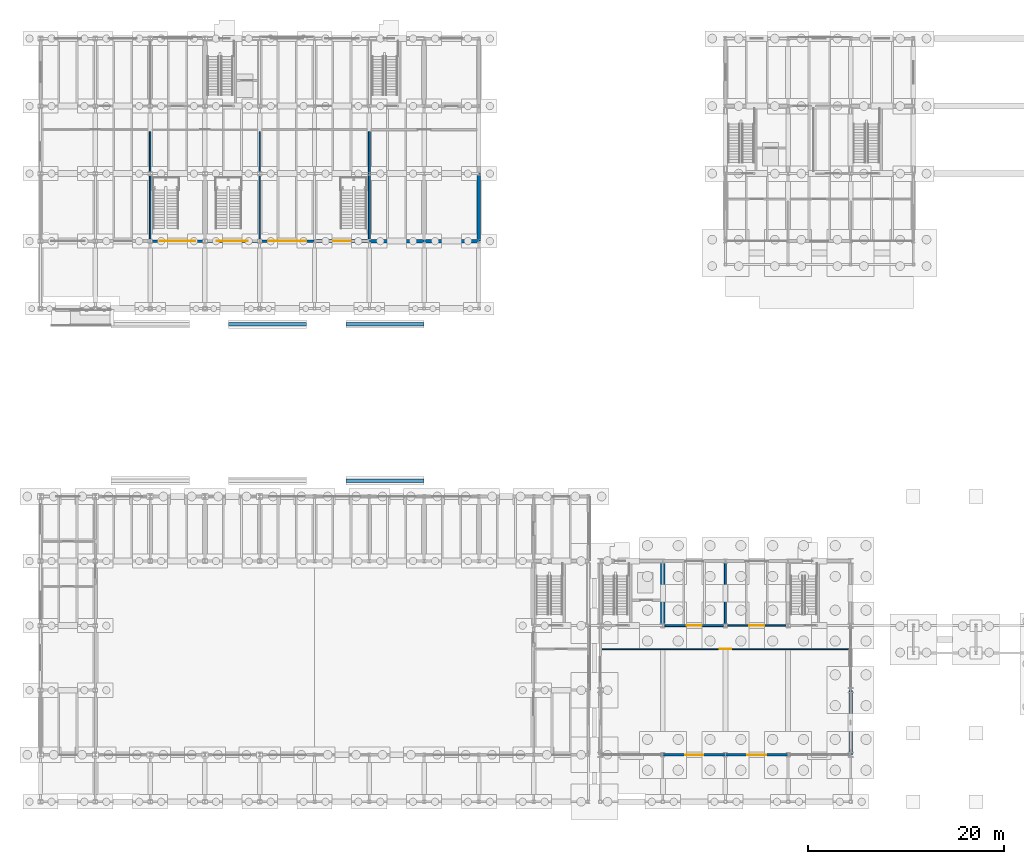
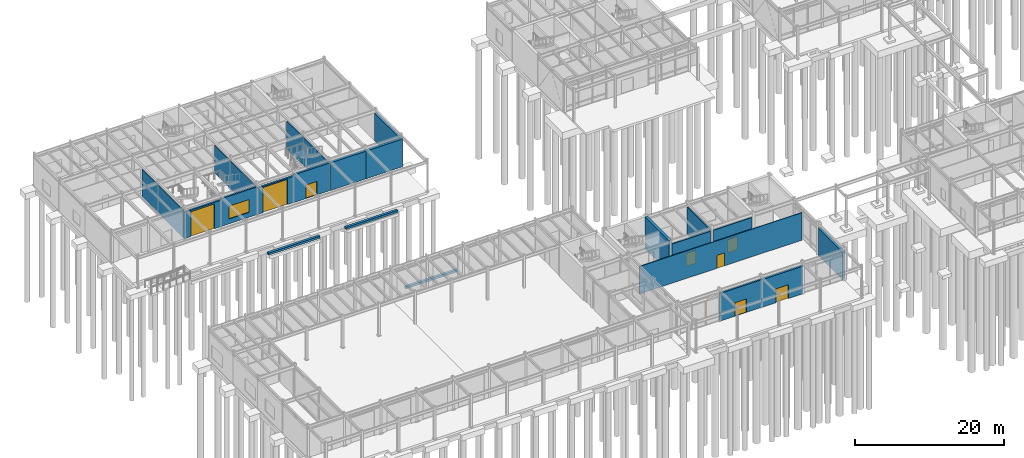
# One storey, part 68 of 82: 21 walls, 8 doors, 1 window, 9 openings.
"""IFC4 building model written with IfcOpenShell, lengths in metres."""

from ifc_helpers import new_model, si_unit, direction, frame, frame_2d, origin, place, context, subcontext, project, spatial, rectangle, extrude, material, layer, layer_set, type_object, element, fill, save


model = new_model("IFC4")

# Units and contexts
model_context = context("Model", 3, precision=1e-05, world=origin(), true_north=direction((0.0, 1.0)))
body_context = subcontext(model_context, "Body", "Model", "MODEL_VIEW")
ifc_project = project(units=[si_unit("LENGTHUNIT", "METRE"), si_unit("AREAUNIT", "SQUARE_METRE"), si_unit("VOLUMEUNIT", "CUBIC_METRE"), si_unit("PLANEANGLEUNIT", "RADIAN"), si_unit("MASSUNIT", "GRAM", prefix="KILO")], contexts=[model_context])

# Site, building, storey
site_placement = place(None, origin())
site = spatial("IfcSite", under=ifc_project, at=site_placement, CompositionType="ELEMENT")
building_placement = place(site_placement, origin())
building = spatial("IfcBuilding", under=site, at=building_placement, Name="Trelmorton Wharf Fire Station", CompositionType="ELEMENT")
storey_placement = place(building_placement, origin())
storey = spatial("IfcBuildingStorey", under=building, at=storey_placement, Name="L00", CompositionType="ELEMENT", Elevation=0.0)

# Wall, opening, door
ifc_material_1 = material(Name="Precast concrete 45 MPa", Category="concrete")
ifc_layer_1 = layer(ifc_material_1, 0.25)
ifc_layer_set_1 = layer_set([ifc_layer_1], Name="Precast concrete 45 MPa")
wall_type_1 = type_object("IfcWallType", Name="EW_PREC_250", PredefinedType="SOLIDWALL", material=ifc_layer_set_1)
wall_1_placement = place(storey_placement, frame((70.794921875, 7.800048828125, 0.0), z_axis=(0.0, 0.0, 1.0), x_axis=(-1.0, 0.0, 0.0)))
wall_1 = element("IfcWall", 1, at=wall_1_placement, inside=storey, type_object=wall_type_1, Name="EW-V3-L00-0037", PredefinedType="SOLIDWALL", context=body_context, shape_type="SweptSolid", body=[
    extrude(rectangle(XDim=6.389892578125, YDim=0.25, at=frame_2d((3.19482421875, 0.0))), origin(), (0.0, 0.0, 1.0), 4.52001953125),
])
opening_1_placement = place(wall_1_placement, frame((2.284912109375, 0.0, 0.0)))
opening_1 = element("IfcOpeningElement", 2, at=opening_1_placement, cuts=wall_1, Name="Opening E-006", PredefinedType="OPENING", context=body_context, shape_type="SweptSolid", body=[
    extrude(rectangle(XDim=1.820068359375, YDim=2.199951171875, at=frame_2d((0.91015625, 1.10009765625))), frame((0.0, 0.135009765625, 0.0), z_axis=(0.0, -1.0, 0.0), x_axis=(1.0, 0.0, 0.0)), (0.0, 0.0, 1.0), 0.27001953125),
])
ifc_material_2 = material(Name="Anodised aluminium AW-6063", Category="aluminium")
door_type_1 = type_object("IfcDoorType", Name="DR_EXT_DBL_182", OperationType="DOUBLE_DOOR_SINGLE_SWING", PredefinedType="DOOR", material=ifc_material_2)
door_1_placement = place(opening_1_placement, origin())
door_1 = element("IfcDoor", 3, at=door_1_placement, inside=storey, type_object=door_type_1, Name="Final Exit Door E-006", OperationType="DOUBLE_DOOR_SINGLE_SWING", OverallHeight=2.199951171875, OverallWidth=1.820068359375, PredefinedType="DOOR", context=body_context, shape_type="SweptSolid", body=[
    extrude(rectangle(XDim=1.820068359375, YDim=2.199951171875, at=frame_2d((0.91015625, 1.10009765625))), frame((0.0, 0.02490234375, 0.0), z_axis=(0.0, -1.0, 0.0), x_axis=(1.0, 0.0, 0.0)), (0.0, 0.0, 1.0), 0.050048828125),
])
fill(opening_1, door_1)

# Wall, opening, window
wall_2_placement = place(storey_placement, frame((23.195068359375, 60.300048828125, 0.0), z_axis=(0.0, 0.0, 1.0), x_axis=(-1.0, 0.0, 0.0)))
wall_2 = element("IfcWall", 4, at=wall_2_placement, inside=storey, type_object=wall_type_1, Name="EW-V6-L00-0127", PredefinedType="SOLIDWALL", context=body_context, shape_type="SweptSolid", body=[
    extrude(rectangle(XDim=5.590087890625, YDim=0.25, at=frame_2d((2.794921875, 0.0))), origin(), (0.0, 0.0, 1.0), 4.52001953125),
])
opening_2_placement = place(wall_2_placement, frame((1.219970703125, 0.0, 0.800048828125)))
opening_2 = element("IfcOpeningElement", 5, at=opening_2_placement, cuts=wall_2, Name="Opening W06", PredefinedType="OPENING", context=body_context, shape_type="SweptSolid", body=[
    extrude(rectangle(XDim=3.14990234375, YDim=2.10009765625, at=frame_2d((1.574951171875, 1.050048828125))), frame((0.0, 0.135009765625, 0.0), z_axis=(0.0, -1.0, 0.0), x_axis=(1.0, 0.0, 0.0)), (0.0, 0.0, 1.0), 0.27001953125),
])
ifc_material_3 = material(Name="Tempered low-E double glazing", Category="glass")
window_type = type_object("IfcWindowType", Name="WIN_W06", PartitioningType="TRIPLE_PANEL_VERTICAL", PredefinedType="WINDOW", material=ifc_material_3)
window_placement = place(opening_2_placement, origin())
window = element("IfcWindow", 6, at=window_placement, inside=storey, type_object=window_type, Name="WN-V6-L00-0068", OverallHeight=2.10009765625, OverallWidth=3.14990234375, PartitioningType="TRIPLE_PANEL_VERTICAL", PredefinedType="WINDOW", context=body_context, shape_type="SweptSolid", body=[
    extrude(rectangle(XDim=3.14990234375, YDim=2.10009765625, at=frame_2d((1.574951171875, 1.050048828125))), frame((0.0, 0.030029296875, 0.0), z_axis=(0.0, -1.0, 0.0), x_axis=(1.0, 0.0, 0.0)), (0.0, 0.0, 1.0), 0.06005859375),
])
fill(opening_2, window)

# Wall, opening, door
ifc_layer_2 = layer(ifc_material_1, 0.27001953125)
ifc_layer_set_2 = layer_set([ifc_layer_2], Name="Precast concrete 45 MPa")
wall_type_2 = type_object("IfcWallType", Name="EW_PREC_270", PredefinedType="SOLIDWALL", material=ifc_layer_set_2)
wall_3_placement = place(storey_placement, frame((17.594970703125, 60.300048828125, 0.0), z_axis=(0.0, 0.0, 1.0), x_axis=(-1.0, 0.0, 0.0)))
wall_3 = element("IfcWall", 7, at=wall_3_placement, inside=storey, type_object=wall_type_2, Name="EW-V6-L00-0125", PredefinedType="SOLIDWALL", context=body_context, shape_type="SweptSolid", body=[
    extrude(rectangle(XDim=5.590087890625, YDim=0.27001953125, at=frame_2d((2.794921875, 0.0))), origin(), (0.0, 0.0, 1.0), 4.300048828125),
])
opening_3_placement = place(wall_3_placement, frame((0.9951171875, 0.0, 0.0)))
opening_3 = element("IfcOpeningElement", 8, at=opening_3_placement, cuts=wall_3, Name="Opening WG-18", PredefinedType="OPENING", context=body_context, shape_type="SweptSolid", body=[
    extrude(rectangle(XDim=3.60009765625, YDim=4.050048828125, at=frame_2d((1.800048828125, 2.02490234375))), frame((0.0, 0.14501953125, 0.0), z_axis=(0.0, -1.0, 0.0), x_axis=(1.0, 0.0, 0.0)), (0.0, 0.0, 1.0), 0.2900390625),
])
ifc_material_4 = material(Name="Stainless steel 316 marine grade", Category="steel")
door_type_2 = type_object("IfcDoorType", Name="GT_ROLLER_360", OperationType="ROLLINGUP", PredefinedType="GATE", material=ifc_material_4)
door_2_placement = place(opening_3_placement, origin())
door_2 = element("IfcDoor", 9, at=door_2_placement, inside=storey, type_object=door_type_2, Name="Vehicle Gate WG-18", OperationType="ROLLINGUP", OverallHeight=4.050048828125, OverallWidth=3.60009765625, PredefinedType="GATE", context=body_context, shape_type="SweptSolid", body=[
    extrude(rectangle(XDim=3.60009765625, YDim=4.050048828125, at=frame_2d((1.800048828125, 2.02490234375))), frame((0.0, 0.02490234375, 0.0), z_axis=(0.0, -1.0, 0.0), x_axis=(1.0, 0.0, 0.0)), (0.0, 0.0, 1.0), 0.050048828125),
])
fill(opening_3, door_2)

wall_4_placement = place(storey_placement, frame((28.794921875, 60.300048828125, 0.0), z_axis=(0.0, 0.0, 1.0), x_axis=(-1.0, 0.0, 0.0)))
wall_4 = element("IfcWall", 10, at=wall_4_placement, inside=storey, type_object=wall_type_2, Name="EW-V6-L00-0128", PredefinedType="SOLIDWALL", context=body_context, shape_type="SweptSolid", body=[
    extrude(rectangle(XDim=5.58984375, YDim=0.27001953125, at=frame_2d((2.794921875, 0.0))), origin(), (0.0, 0.0, 1.0), 4.300048828125),
])
opening_4_placement = place(wall_4_placement, frame((0.89501953125, 0.0, 0.0)))
opening_4 = element("IfcOpeningElement", 11, at=opening_4_placement, cuts=wall_4, Name="Opening WG-19", PredefinedType="OPENING", context=body_context, shape_type="SweptSolid", body=[
    extrude(rectangle(XDim=3.800048828125, YDim=4.10009765625, at=frame_2d((1.89990234375, 2.050048828125))), frame((0.0, 0.14501953125, 0.0), z_axis=(0.0, -1.0, 0.0), x_axis=(1.0, 0.0, 0.0)), (0.0, 0.0, 1.0), 0.2900390625),
])
door_type_3 = type_object("IfcDoorType", Name="GT_ROLLER_380", OperationType="ROLLINGUP", PredefinedType="GATE", material=ifc_material_4)
door_3_placement = place(opening_4_placement, origin())
door_3 = element("IfcDoor", 12, at=door_3_placement, inside=storey, type_object=door_type_3, Name="Vehicle Gate WG-19", OperationType="ROLLINGUP", OverallHeight=4.10009765625, OverallWidth=3.800048828125, PredefinedType="GATE", context=body_context, shape_type="SweptSolid", body=[
    extrude(rectangle(XDim=3.800048828125, YDim=4.10009765625, at=frame_2d((1.89990234375, 2.050048828125))), frame((0.0, 0.02490234375, 0.0), z_axis=(0.0, -1.0, 0.0), x_axis=(1.0, 0.0, 0.0)), (0.0, 0.0, 1.0), 0.050048828125),
])
fill(opening_4, door_3)

# Walls
ifc_material_5 = material(Name="Clay brickwork masonry", Category="masonry")
ifc_layer_3 = layer(ifc_material_5, 0.3798828125)
ifc_layer_set_3 = layer_set([ifc_layer_3], Name="Clay brickwork masonry")
wall_type_3 = type_object("IfcWallType", Name="EW_SMOK_380", PredefinedType="SOLIDWALL", material=ifc_layer_set_3)
for number, where, z_axis, x_axis, name in (
    (13, (39.9951171875, 60.300048828125, 0.0), (0.0, 0.0, 1.0), (-1.0, 0.0, 0.0), "EW-V6-L00-0132"),
    (14, (45.594970703125, 60.300048828125, 0.0), (0.0, 0.0, 1.0), (-1.0, 0.0, 0.0), "EW-V6-L00-0133"),
):
    element("IfcWall", number, at=place(storey_placement, frame(where, z_axis=z_axis, x_axis=x_axis)), inside=storey, type_object=wall_type_3, Name=name, PredefinedType="SOLIDWALL", context=body_context, shape_type="SweptSolid", body=[
        extrude(rectangle(XDim=5.590087890625, YDim=0.3798828125, at=frame_2d((2.794921875, 0.0))), origin(), (0.0, 0.0, 1.0), 4.52001953125),
    ])
wall_5_placement = place(storey_placement, frame((45.60009765625, 67.195068359375, 0.0), z_axis=(0.0, 0.0, 1.0), x_axis=(0.0, -1.0, 0.0)))
element("IfcWall", 15, at=wall_5_placement, inside=storey, type_object=wall_type_3, Name="EW-V6-L00-0136", PredefinedType="SOLIDWALL", context=body_context, shape_type="SweptSolid", body=[
    extrude(rectangle(XDim=6.89013671875, YDim=0.3798828125, at=frame_2d((3.445068359375, 0.0))), origin(), (0.0, 0.0, 1.0), 4.52001953125),
])

# Wall, opening, door
ifc_layer_4 = layer(ifc_material_1, 0.2900390625)
ifc_layer_set_4 = layer_set([ifc_layer_4], Name="Precast concrete 45 MPa")
wall_type_4 = type_object("IfcWallType", Name="EW_TERR_290", PredefinedType="SOLIDWALL", material=ifc_layer_set_4)
wall_6_placement = place(storey_placement, frame((77.195068359375, 7.800048828125, 0.0), z_axis=(0.0, 0.0, 1.0), x_axis=(-1.0, 0.0, 0.0)))
wall_6 = element("IfcWall", 16, at=wall_6_placement, inside=storey, type_object=wall_type_4, Name="EW-V3-L00-0039", PredefinedType="SOLIDWALL", context=body_context, shape_type="SweptSolid", body=[
    extrude(rectangle(XDim=6.39013671875, YDim=0.2900390625, at=frame_2d((3.195068359375, 0.0))), origin(), (0.0, 0.0, 1.0), 4.52001953125),
])
opening_5_placement = place(wall_6_placement, frame((2.235107421875, 0.0, 0.0)))
opening_5 = element("IfcOpeningElement", 17, at=opening_5_placement, cuts=wall_6, Name="Opening E-008", PredefinedType="OPENING", context=body_context, shape_type="SweptSolid", body=[
    extrude(rectangle(XDim=1.919921875, YDim=2.25, at=frame_2d((0.9599609375, 1.125))), frame((0.0, 0.155029296875, 0.0), z_axis=(0.0, -1.0, 0.0), x_axis=(1.0, 0.0, 0.0)), (0.0, 0.0, 1.0), 0.31005859375),
])
door_type_4 = type_object("IfcDoorType", Name="DR_EXT_DBL_192", OperationType="DOUBLE_DOOR_SINGLE_SWING", PredefinedType="DOOR", material=ifc_material_2)
door_4_placement = place(opening_5_placement, origin())
door_4 = element("IfcDoor", 18, at=door_4_placement, inside=storey, type_object=door_type_4, Name="Final Exit Door E-008", OperationType="DOUBLE_DOOR_SINGLE_SWING", OverallHeight=2.25, OverallWidth=1.919921875, PredefinedType="DOOR", context=body_context, shape_type="SweptSolid", body=[
    extrude(rectangle(XDim=1.919921875, YDim=2.25, at=frame_2d((0.9599609375, 1.125))), frame((0.0, 0.02490234375, 0.0), z_axis=(0.0, -1.0, 0.0), x_axis=(1.0, 0.0, 0.0)), (0.0, 0.0, 1.0), 0.050048828125),
])
fill(opening_5, door_4)

ifc_layer_5 = layer(ifc_material_1, 0.31005859375)
ifc_layer_set_5 = layer_set([ifc_layer_5], Name="Precast concrete 45 MPa")
wall_type_5 = type_object("IfcWallType", Name="EW_TERR_310", PredefinedType="SOLIDWALL", material=ifc_layer_set_5)
wall_7_placement = place(storey_placement, frame((34.39501953125, 60.300048828125, 0.0), z_axis=(0.0, 0.0, 1.0), x_axis=(-1.0, 0.0, 0.0)))
wall_7 = element("IfcWall", 19, at=wall_7_placement, inside=storey, type_object=wall_type_5, Name="EW-V6-L00-0130", PredefinedType="SOLIDWALL", context=body_context, shape_type="SweptSolid", body=[
    extrude(rectangle(XDim=5.590087890625, YDim=0.31005859375, at=frame_2d((2.794921875, 0.0))), origin(), (0.0, 0.0, 1.0), 4.52001953125),
])
opening_6_placement = place(wall_7_placement, frame((1.93505859375, 0.0, 0.0)))
opening_6 = element("IfcOpeningElement", 20, at=opening_6_placement, cuts=wall_7, Name="Opening E-022", PredefinedType="OPENING", context=body_context, shape_type="SweptSolid", body=[
    extrude(rectangle(XDim=1.719970703125, YDim=2.199951171875, at=frame_2d((0.85986328125, 1.10009765625))), frame((0.0, 0.1650390625, 0.0), z_axis=(0.0, -1.0, 0.0), x_axis=(1.0, 0.0, 0.0)), (0.0, 0.0, 1.0), 0.330078125),
])
door_type_5 = type_object("IfcDoorType", Name="DR_EXT_DBL_172", OperationType="DOUBLE_DOOR_SINGLE_SWING", PredefinedType="DOOR", material=ifc_material_2)
door_5_placement = place(opening_6_placement, origin())
door_5 = element("IfcDoor", 21, at=door_5_placement, inside=storey, type_object=door_type_5, Name="Final Exit Door E-022", OperationType="DOUBLE_DOOR_SINGLE_SWING", OverallHeight=2.199951171875, OverallWidth=1.719970703125, PredefinedType="DOOR", context=body_context, shape_type="SweptSolid", body=[
    extrude(rectangle(XDim=1.719970703125, YDim=2.199951171875, at=frame_2d((0.85986328125, 1.10009765625))), frame((0.0, 0.02490234375, 0.0), z_axis=(0.0, -1.0, 0.0), x_axis=(1.0, 0.0, 0.0)), (0.0, 0.0, 1.0), 0.050048828125),
])
fill(opening_6, door_5)

# Wall
ifc_layer_6 = layer(ifc_material_1, 0.330078125)
ifc_layer_set_6 = layer_set([ifc_layer_6], Name="Precast concrete 45 MPa")
wall_type_6 = type_object("IfcWallType", Name="EW_TERR_330", PredefinedType="SOLIDWALL", material=ifc_layer_set_6)
wall_8_placement = place(storey_placement, frame((83.60009765625, 14.39501953125, 0.0), z_axis=(0.0, 0.0, 1.0), x_axis=(0.0, -1.0, 0.0)))
element("IfcWall", 22, at=wall_8_placement, inside=storey, type_object=wall_type_6, Name="EW-V3-L00-0042", PredefinedType="SOLIDWALL", context=body_context, shape_type="SweptSolid", body=[
    extrude(rectangle(XDim=6.590087890625, YDim=0.330078125, at=frame_2d((3.294921875, 0.0))), origin(), (0.0, 0.0, 1.0), 4.52001953125),
])

# Wall, opening, door
ifc_layer_7 = layer(ifc_material_1, 0.169921875)
ifc_layer_set_7 = layer_set([ifc_layer_7], Name="Precast concrete 45 MPa")
wall_type_7 = type_object("IfcWallType", Name="IW_FIRE_170", PredefinedType="PARTITIONING", material=ifc_layer_set_7)
wall_9_placement = place(storey_placement, frame((71.02001953125, 21.0, 0.0), z_axis=(0.0, 0.0, 1.0), x_axis=(1.0, 0.0, 0.0)))
wall_9 = element("IfcWall", 23, at=wall_9_placement, inside=storey, type_object=wall_type_7, Name="IW-L00-0014", PredefinedType="PARTITIONING", context=body_context, shape_type="SweptSolid", body=[
    extrude(rectangle(XDim=5.9599609375, YDim=0.169921875, at=frame_2d((2.97998046875, 0.0))), origin(), (0.0, 0.0, 1.0), 4.5),
])
opening_7_placement = place(wall_9_placement, frame((2.219970703125, 0.0, 0.0)))
opening_7 = element("IfcOpeningElement", 24, at=opening_7_placement, cuts=wall_9, Name="Opening D-011", PredefinedType="OPENING", context=body_context, shape_type="SweptSolid", body=[
    extrude(rectangle(XDim=1.52001953125, YDim=2.14990234375, at=frame_2d((0.760009765625, 1.074951171875))), frame((0.0, 0.094970703125, 0.0), z_axis=(0.0, -1.0, 0.0), x_axis=(1.0, 0.0, 0.0)), (0.0, 0.0, 1.0), 0.18994140625),
])
door_type_6 = type_object("IfcDoorType", Name="DR_FIRE_152", OperationType="DOUBLE_DOOR_SINGLE_SWING", PredefinedType="DOOR", material=ifc_material_4)
door_6_placement = place(opening_7_placement, origin())
door_6 = element("IfcDoor", 25, at=door_6_placement, inside=storey, type_object=door_type_6, Name="Interior Door D-011", OperationType="DOUBLE_DOOR_SINGLE_SWING", OverallHeight=2.14990234375, OverallWidth=1.52001953125, PredefinedType="DOOR", context=body_context, shape_type="SweptSolid", body=[
    extrude(rectangle(XDim=1.52001953125, YDim=2.14990234375, at=frame_2d((0.760009765625, 1.074951171875))), frame((0.0, 0.02490234375, 0.0), z_axis=(0.0, -1.0, 0.0), x_axis=(1.0, 0.0, 0.0)), (0.0, 0.0, 1.0), 0.050048828125),
])
fill(opening_7, door_6)

ifc_layer_8 = layer(ifc_material_1, 0.199951171875)
ifc_layer_set_8 = layer_set([ifc_layer_8], Name="Precast concrete 45 MPa")
wall_type_8 = type_object("IfcWallType", Name="IW_FIRE_200", PredefinedType="PARTITIONING", material=ifc_layer_set_8)
wall_10_placement = place(storey_placement, frame((64.6201171875, 21.0, 0.0), z_axis=(0.0, 0.0, 1.0), x_axis=(1.0, 0.0, 0.0)))
wall_10 = element("IfcWall", 26, at=wall_10_placement, inside=storey, type_object=wall_type_8, Name="IW-L00-0013", PredefinedType="PARTITIONING", context=body_context, shape_type="SweptSolid", body=[
    extrude(rectangle(XDim=5.9599609375, YDim=0.199951171875, at=frame_2d((2.97998046875, 0.0))), origin(), (0.0, 0.0, 1.0), 4.5),
])
opening_8_placement = place(wall_10_placement, frame((2.219970703125, 0.0, 0.0)))
opening_8 = element("IfcOpeningElement", 27, at=opening_8_placement, cuts=wall_10, Name="Opening D-010", PredefinedType="OPENING", context=body_context, shape_type="SweptSolid", body=[
    extrude(rectangle(XDim=1.52001953125, YDim=2.14990234375, at=frame_2d((0.760009765625, 1.074951171875))), frame((0.0, 0.10986328125, 0.0), z_axis=(0.0, -1.0, 0.0), x_axis=(1.0, 0.0, 0.0)), (0.0, 0.0, 1.0), 0.219970703125),
])
door_7_placement = place(opening_8_placement, origin())
door_7 = element("IfcDoor", 28, at=door_7_placement, inside=storey, type_object=door_type_6, Name="Interior Door D-010", OperationType="DOUBLE_DOOR_SINGLE_SWING", OverallHeight=2.14990234375, OverallWidth=1.52001953125, PredefinedType="DOOR", context=body_context, shape_type="SweptSolid", body=[
    extrude(rectangle(XDim=1.52001953125, YDim=2.14990234375, at=frame_2d((0.760009765625, 1.074951171875))), frame((0.0, 0.02490234375, 0.0), z_axis=(0.0, -1.0, 0.0), x_axis=(1.0, 0.0, 0.0)), (0.0, 0.0, 1.0), 0.050048828125),
])
fill(opening_8, door_7)

# Walls
wall_11_placement = place(storey_placement, frame((70.800048828125, 21.219970703125, 0.0), z_axis=(0.0, 0.0, 1.0), x_axis=(0.0, 1.0, 0.0)))
element("IfcWall", 29, at=wall_11_placement, inside=storey, type_object=wall_type_8, Name="IW-L00-0015", PredefinedType="PARTITIONING", context=body_context, shape_type="SweptSolid", body=[
    extrude(rectangle(XDim=6.159912109375, YDim=0.199951171875, at=frame_2d((3.080078125, 0.0))), origin(), (0.0, 0.0, 1.0), 4.5),
])
wall_12_placement = place(storey_placement, frame((34.39990234375, 60.52001953125, 0.0), z_axis=(0.0, 0.0, 1.0), x_axis=(0.0, 1.0, 0.0)))
element("IfcWall", 30, at=wall_12_placement, inside=storey, type_object=wall_type_8, Name="IW-L00-0035", PredefinedType="PARTITIONING", context=body_context, shape_type="SweptSolid", body=[
    extrude(rectangle(XDim=10.9599609375, YDim=0.199951171875, at=frame_2d((5.47998046875, 0.0))), origin(), (0.0, 0.0, 1.0), 4.5),
])
ifc_material_6 = material(Name="Gypsum plasterboard partition")
ifc_layer_9 = layer(ifc_material_6, 0.139892578125)
ifc_layer_set_9 = layer_set([ifc_layer_9], Name="Gypsum plasterboard partition")
wall_type_9 = type_object("IfcWallType", Name="IW_PART_140", PredefinedType="PARTITIONING", material=ifc_layer_set_9)
wall_13_placement = place(storey_placement, frame((12.0, 60.52001953125, 0.0), z_axis=(0.0, 0.0, 1.0), x_axis=(0.0, 1.0, 0.0)))
element("IfcWall", 31, at=wall_13_placement, inside=storey, type_object=wall_type_9, Name="IW-L00-0031", PredefinedType="PARTITIONING", context=body_context, shape_type="SweptSolid", body=[
    extrude(rectangle(XDim=10.9599609375, YDim=0.139892578125, at=frame_2d((5.47998046875, 0.0))), origin(), (0.0, 0.0, 1.0), 4.5),
])

# Wall, opening, door
ifc_layer_10 = layer(ifc_material_6, 0.1201171875)
ifc_layer_set_10 = layer_set([ifc_layer_10], Name="Gypsum plasterboard partition")
wall_type_10 = type_object("IfcWallType", Name="IW_WET_120", PredefinedType="PARTITIONING", material=ifc_layer_set_10)
wall_14_placement = place(storey_placement, frame((58.219970703125, 18.60009765625, 0.0), z_axis=(0.0, 0.0, 1.0), x_axis=(1.0, 0.0, 0.0)))
wall_14 = element("IfcWall", 32, at=wall_14_placement, inside=storey, type_object=wall_type_10, Name="IW-L00-0012", PredefinedType="PARTITIONING", context=body_context, shape_type="SweptSolid", body=[
    extrude(rectangle(XDim=25.159912109375, YDim=0.1201171875, at=frame_2d((12.580078125, 0.0))), origin(), (0.0, 0.0, 1.0), 4.5),
])
opening_9_placement = place(wall_14_placement, frame((12.0048828125, 0.0, 0.0)))
opening_9 = element("IfcOpeningElement", 33, at=opening_9_placement, cuts=wall_14, Name="Opening D-009", PredefinedType="OPENING", context=body_context, shape_type="SweptSolid", body=[
    extrude(rectangle(XDim=1.14990234375, YDim=2.1201171875, at=frame_2d((0.574951171875, 1.06005859375))), frame((0.0, 0.070068359375, 0.0), z_axis=(0.0, -1.0, 0.0), x_axis=(1.0, 0.0, 0.0)), (0.0, 0.0, 1.0), 0.14013671875),
])
ifc_material_7 = material(Name="Acoustic timber panelling", Category="wood")
door_type_7 = type_object("IfcDoorType", Name="DR_INT_115", OperationType="NOTDEFINED", PredefinedType="DOOR", material=ifc_material_7)
door_8_placement = place(opening_9_placement, origin())
door_8 = element("IfcDoor", 34, at=door_8_placement, inside=storey, type_object=door_type_7, Name="Interior Door D-009", OperationType="SINGLE_SWING_LEFT", OverallHeight=2.1201171875, OverallWidth=1.14990234375, PredefinedType="DOOR", context=body_context, shape_type="SweptSolid", body=[
    extrude(rectangle(XDim=1.14990234375, YDim=2.1201171875, at=frame_2d((0.574951171875, 1.06005859375))), frame((0.0, 0.02490234375, 0.0), z_axis=(0.0, -1.0, 0.0), x_axis=(1.0, 0.0, 0.0)), (0.0, 0.0, 1.0), 0.050048828125),
])
fill(opening_9, door_8)

# Walls
wall_15_placement = place(storey_placement, frame((23.199951171875, 60.52001953125, 0.0), z_axis=(0.0, 0.0, 1.0), x_axis=(0.0, 1.0, 0.0)))
element("IfcWall", 35, at=wall_15_placement, inside=storey, type_object=wall_type_10, Name="IW-L00-0033", PredefinedType="PARTITIONING", context=body_context, shape_type="SweptSolid", body=[
    extrude(rectangle(XDim=10.9599609375, YDim=0.1201171875, at=frame_2d((5.47998046875, 0.0))), origin(), (0.0, 0.0, 1.0), 4.5),
])
ifc_material_8 = material(Name="Concrete 50 MPa", Category="concrete")
ifc_layer_11 = layer(ifc_material_8, 0.43994140625)
ifc_layer_set_11 = layer_set([ifc_layer_11], Name="Concrete 50 MPa")
wall_type_11 = type_object("IfcWallType", Name="WL_CORE_440", PredefinedType="SHEAR", material=ifc_layer_set_11)
wall_16_placement = place(storey_placement, frame((64.39990234375, 21.0, 0.0), z_axis=(0.0, 0.0, 1.0), x_axis=(0.0, 1.0, 0.0)))
element("IfcWall", 36, at=wall_16_placement, inside=storey, type_object=wall_type_11, Name="WL-SW-C2-L00-009", PredefinedType="SHEAR", context=body_context, shape_type="SweptSolid", body=[
    extrude(rectangle(XDim=6.3798828125, YDim=0.43994140625, at=frame_2d((3.18994140625, 0.0))), origin(), (0.0, 0.0, 1.0), 5.159912109375),
])
ifc_material_9 = material(Name="Concrete 45 MPa", Category="concrete")
ifc_layer_12 = layer(ifc_material_9, 0.360107421875)
ifc_layer_set_12 = layer_set([ifc_layer_12], Name="Concrete 45 MPa")
wall_type_12 = type_object("IfcWallType", Name="WL_RETAIN_360", PredefinedType="USERDEFINED", material=ifc_layer_set_12)
for number, where, z_axis, x_axis, name in (
    (37, (32.0, 35.800048828125, -0.35009765625), (0.0, 0.0, 1.0), (1.0, 0.0, 0.0), "WL-RET-03"),
    (38, (20.0, 51.800048828125, -0.35009765625), (0.0, 0.0, 1.0), (1.0, 0.0, 0.0), "WL-RET-05"),
    (39, (32.0, 51.800048828125, -0.35009765625), (0.0, 0.0, 1.0), (1.0, 0.0, 0.0), "WL-RET-06"),
):
    element("IfcWall", number, at=place(storey_placement, frame(where, z_axis=z_axis, x_axis=x_axis)), inside=storey, type_object=wall_type_12, Name=name, ObjectType="RETAINING WALL", PredefinedType="USERDEFINED", context=body_context, shape_type="SweptSolid", body=[
        extrude(rectangle(XDim=8.0, YDim=0.360107421875, at=frame_2d((4.0, 0.0))), origin(), (0.0, 0.0, 1.0), 0.35009765625),
    ])

save(model, "model.ifc")
